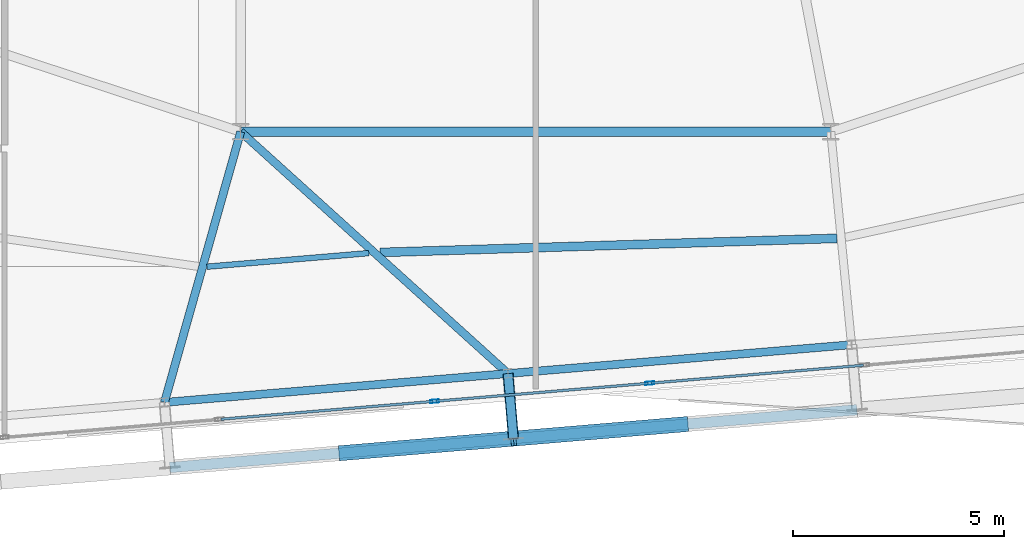
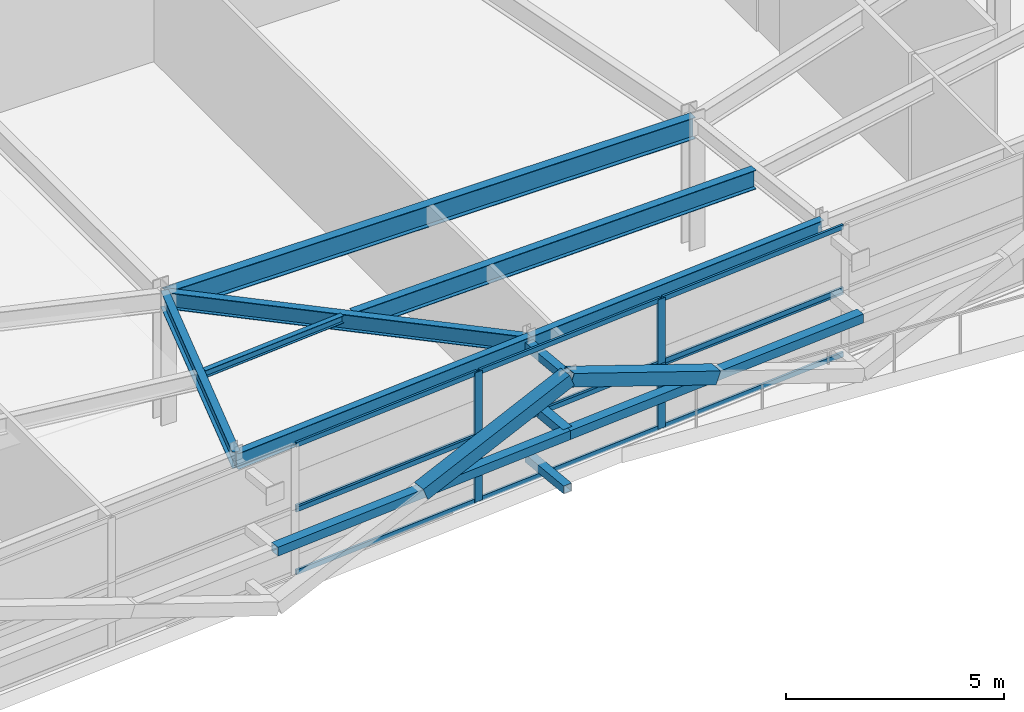
# One storey, part 10 of 38: 23 members, 7 beams, 2 elements without a shape of their own.
"""IFC4 building model written with IfcOpenShell, lengths in metres."""

from ifc_helpers import new_model, si_unit, direction, frame, origin, origin_2d, place, context, subcontext, project, spatial, hollow_rectangle, i_section, extrude, source, transform, mapped, material, layer, layer_set, material_profile, profile_set, type_object, element, aggregate, save


model = new_model("IFC4")

# Units and contexts
model_context = context("Model", 3, precision=1e-05, world=origin(), true_north=direction((0.0, 1.0)))
body_context = subcontext(model_context, "Body", "Model", "MODEL_VIEW")
ifc_project = project(units=[si_unit("LENGTHUNIT", "METRE"), si_unit("AREAUNIT", "SQUARE_METRE"), si_unit("VOLUMEUNIT", "CUBIC_METRE"), si_unit("PLANEANGLEUNIT", "RADIAN"), si_unit("MASSUNIT", "GRAM", prefix="KILO")], contexts=[model_context])

# Site, building, storey
site_placement = place(None, origin())
site = spatial("IfcSite", under=ifc_project, at=site_placement, CompositionType="ELEMENT")
building_placement = place(site_placement, origin())
building = spatial("IfcBuilding", under=site, at=building_placement, Name="Taldren Reach Tower", CompositionType="ELEMENT")
storey_placement = place(building_placement, frame((0.0, 0.0, 168.699951171875)))
storey = spatial("IfcBuildingStorey", under=building, at=storey_placement, Name="L51", CompositionType="ELEMENT", Elevation=168.699951171875)

# Beam
ifc_material_1 = material(Name="Steel Gr 350 (350PLUS)", Category="steel")
ifc_material_profile_1 = material_profile(ifc_material_1, i_section(OverallWidth=0.22802734375, OverallDepth=0.60205078125, WebThickness=0.010498046875, FlangeThickness=0.014892578125, at=origin_2d()), Name="610UB101")
ifc_profile_set_1 = profile_set([ifc_material_profile_1], Name="Steel Gr 350 (350PLUS)")
beam_type_1 = type_object("IfcBeamType", Name="BM-UB610B", PredefinedType="BEAM", material=ifc_profile_set_1)
shared_shape_1 = source(origin(), body_context, "Body", "SweptSolid", [
    extrude(i_section(OverallWidth=0.22802734375, OverallDepth=0.60205078125, WebThickness=0.010498046875, FlangeThickness=0.014892578125, at=origin_2d()), origin(), (0.0, 0.0, 1.0), 14.0),
])
beam_1_placement = place(storey_placement, frame((28.0, 9.199951171875, 3.3291015625), z_axis=(1.0, 0.0, 0.0), x_axis=(0.0, 1.0, 0.0)))
element("IfcBeam", 1, at=beam_1_placement, inside=storey, type_object=beam_type_1, Name="Core-spine girder L51-SP11", PredefinedType="BEAM", context=body_context, shape_type="MappedRepresentation", body=[
    mapped(shared_shape_1, transform((0.0, 0.0, 0.0), scale=1.0)),
])

# Member
ifc_material_2 = material(Name="Steel Gr 350 (C350L0)", Category="steel")
ifc_material_profile_2 = material_profile(ifc_material_2, hollow_rectangle(XDim=0.25, YDim=0.25, WallThickness=0.010009765625, at=origin_2d()), Name="250x250x10.0SHS")
ifc_profile_set_2 = profile_set([ifc_material_profile_2], Name="Steel Gr 350 (C350L0)")
member_type_1 = type_object("IfcMemberType", Name="MB-POST250", PredefinedType="POST", material=ifc_profile_set_2)
shared_shape_2 = source(origin(), body_context, "Body", "SweptSolid", [
    extrude(hollow_rectangle(XDim=0.25, YDim=0.25, WallThickness=0.010009765625, at=origin_2d()), origin(), (0.0, 0.0, 1.0), 1.5498046875),
])
member_1_placement = place(storey_placement, frame((34.34228515625, 3.462890625, 1.78515625), z_axis=(0.083645141657, -0.996495604746, 0.0), x_axis=(0.996495604746, 0.083645141657, 0.0)))
element("IfcMember", 2, at=member_1_placement, inside=storey, type_object=member_type_1, Name="Exoskeleton mid-tier diaphragm tie B4-S3 L51", PredefinedType="POST", context=body_context, shape_type="MappedRepresentation", body=[
    mapped(shared_shape_2, transform((0.0, 0.0, 0.0), scale=1.0)),
])

# Beams
ifc_material_profile_3 = material_profile(ifc_material_1, i_section(OverallWidth=0.18994140625, OverallDepth=0.4541015625, WebThickness=0.008544921875, FlangeThickness=0.0126953125, at=origin_2d()), Name="460UB67.1")
ifc_profile_set_3 = profile_set([ifc_material_profile_3], Name="Steel Gr 350 (350PLUS)")
beam_type_2 = type_object("IfcBeamType", Name="SP-UB460B", PredefinedType="SPANDREL", material=ifc_profile_set_3)
shared_shape_3 = source(origin(), body_context, "Body", "SweptSolid", [
    extrude(i_section(OverallWidth=0.18994140625, OverallDepth=0.4541015625, WebThickness=0.008544921875, FlangeThickness=0.0126953125, at=origin_2d()), origin(), (0.0, 0.0, 1.0), 8.18017578125),
])
beam_2_placement = place(storey_placement, frame((34.34228515625, 3.462890625, 3.403076171875), z_axis=(0.996492034688, 0.083687662192, 0.0), x_axis=(-0.083687662192, 0.996492034688, 0.0)))
element("IfcBeam", 3, at=beam_2_placement, inside=storey, type_object=beam_type_2, Name="Perimeter spandrel B4 S3-S4 L51", PredefinedType="SPANDREL", context=body_context, shape_type="MappedRepresentation", body=[
    mapped(shared_shape_3, transform((0.0, 0.0, 0.0), scale=1.0)),
])
shared_shape_4 = source(origin(), body_context, "Body", "SweptSolid", [
    extrude(i_section(OverallWidth=0.18994140625, OverallDepth=0.4541015625, WebThickness=0.008544921875, FlangeThickness=0.0126953125, at=origin_2d()), origin(), (0.0, 0.0, 1.0), 8.179931640625),
])
beam_3_placement = place(storey_placement, frame((26.19091796875, 2.778564453125, 3.403076171875), z_axis=(0.996494523218, 0.083658025296, 0.0), x_axis=(-0.083658025296, 0.996494523218, 0.0)))
element("IfcBeam", 4, at=beam_3_placement, inside=storey, type_object=beam_type_2, Name="Perimeter spandrel B4 S2-S3 L51", PredefinedType="SPANDREL", context=body_context, shape_type="MappedRepresentation", body=[
    mapped(shared_shape_4, transform((0.0, 0.0, 0.0), scale=1.0)),
])
ifc_material_profile_4 = material_profile(ifc_material_1, i_section(OverallWidth=0.19091796875, OverallDepth=0.4599609375, WebThickness=0.010009765625, FlangeThickness=0.01611328125, at=origin_2d()), Name="460UB82.1")
ifc_profile_set_4 = profile_set([ifc_material_profile_4], Name="Steel Gr 350 (350PLUS)")
beam_type_3 = type_object("IfcBeamType", Name="BM-UB460A", PredefinedType="BEAM", material=ifc_profile_set_4)
shared_shape_5 = source(origin(), body_context, "Body", "SweptSolid", [
    extrude(i_section(OverallWidth=0.19091796875, OverallDepth=0.4599609375, WebThickness=0.010009765625, FlangeThickness=0.01611328125, at=origin_2d()), origin(), (0.0, 0.0, 1.0), 6.67138671875),
])
beam_4_placement = place(storey_placement, frame((28.0, 9.199951171875, 3.400146484375), z_axis=(-0.271171579948, -0.962531025073, 0.0), x_axis=(0.962531025073, -0.271171579948, 0.0)))
element("IfcBeam", 5, at=beam_4_placement, inside=storey, type_object=beam_type_3, Name="Primary floor girder B4-S2 L51", PredefinedType="BEAM", context=body_context, shape_type="MappedRepresentation", body=[
    mapped(shared_shape_5, transform((0.0, 0.0, 0.0), scale=1.0)),
])
shared_shape_6 = source(origin(), body_context, "Body", "SweptSolid", [
    extrude(i_section(OverallWidth=0.19091796875, OverallDepth=0.4599609375, WebThickness=0.010009765625, FlangeThickness=0.01611328125, at=origin_2d()), origin(), (0.0, 0.0, 1.0), 8.552001953125),
])
beam_5_placement = place(storey_placement, frame((28.0, 9.199951171875, 3.400146484375), z_axis=(0.741605435155, -0.670836327689, 0.0), x_axis=(0.670836327689, 0.741605435155, 0.0)))
element("IfcBeam", 6, at=beam_5_placement, inside=storey, type_object=beam_type_3, Name="Primary floor girder B4-S3 L51", PredefinedType="BEAM", context=body_context, shape_type="MappedRepresentation", body=[
    mapped(shared_shape_6, transform((0.0, 0.0, 0.0), scale=1.0)),
])
ifc_material_3 = material(Name="Steel Gr 300 (300PLUS, 300 MPa)", Category="steel")
ifc_material_profile_5 = material_profile(ifc_material_3, i_section(OverallWidth=0.134033203125, OverallDepth=0.20703125, WebThickness=0.00634765625, FlangeThickness=0.009521484375, at=origin_2d()), Name="200UB29.8")
ifc_profile_set_5 = profile_set([ifc_material_profile_5], Name="Steel Gr 300 (300PLUS, 300 MPa)")
beam_type_4 = type_object("IfcBeamType", Name="JS-UB200", PredefinedType="JOIST", material=ifc_profile_set_5)
shared_shape_7 = source(origin(), body_context, "Body", "SweptSolid", [
    extrude(i_section(OverallWidth=0.134033203125, OverallDepth=0.20703125, WebThickness=0.00634765625, FlangeThickness=0.009521484375, at=origin_2d()), origin(), (0.0, 0.0, 1.0), 3.857177734375),
])
beam_6_placement = place(storey_placement, frame((27.197021484375, 5.997802734375, 3.526611328125), z_axis=(0.996493179166, 0.083674033464, 0.0), x_axis=(-0.083674033464, 0.996493179166, 0.0)))
element("IfcBeam", 7, at=beam_6_placement, inside=storey, type_object=beam_type_4, Name="Secondary floor joist B4 J2 L51", PredefinedType="JOIST", context=body_context, shape_type="MappedRepresentation", body=[
    mapped(shared_shape_7, transform((0.0, 0.0, 0.0), scale=1.0)),
])
ifc_material_profile_6 = material_profile(ifc_material_1, i_section(OverallWidth=0.208984375, OverallDepth=0.532958984375, WebThickness=0.01025390625, FlangeThickness=0.015625, at=origin_2d()), Name="530UB92.4")
ifc_profile_set_6 = profile_set([ifc_material_profile_6], Name="Steel Gr 350 (350PLUS)")
beam_type_5 = type_object("IfcBeamType", Name="BM-UB530A", PredefinedType="BEAM", material=ifc_profile_set_6)
shared_shape_8 = source(origin(), body_context, "Body", "SweptSolid", [
    extrude(i_section(OverallWidth=0.208984375, OverallDepth=0.532958984375, WebThickness=0.01025390625, FlangeThickness=0.015625, at=origin_2d()), origin(), (0.0, 0.0, 1.0), 10.847412109375),
])
beam_7_placement = place(storey_placement, frame((31.308837890625, 6.335693359375, 3.363525390625), z_axis=(0.999522428572, 0.030901695439, 0.0), x_axis=(-0.030901695439, 0.999522428572, 0.0)))
element("IfcBeam", 8, at=beam_7_placement, inside=storey, type_object=beam_type_5, Name="Secondary floor beam B4 J3 L51", PredefinedType="BEAM", context=body_context, shape_type="MappedRepresentation", body=[
    mapped(shared_shape_8, transform((0.0, 0.0, 0.0), scale=1.0)),
])

# Members
ifc_material_4 = material(Name="Steel Gr 450 (C450L0)", Category="steel")
ifc_material_profile_7 = material_profile(ifc_material_4, hollow_rectangle(XDim=0.219970703125, YDim=0.219970703125, WallThickness=0.00830078125, at=origin_2d()), Name="220x220x8.2SHS")
ifc_profile_set_7 = profile_set([ifc_material_profile_7], Name="Steel Gr 450 (C450L0)")
member_type_2 = type_object("IfcMemberType", Name="MB-TIE219", PredefinedType="STRUT", material=ifc_profile_set_7)
shared_shape_9 = source(origin(), body_context, "Body", "SweptSolid", [
    extrude(hollow_rectangle(XDim=0.219970703125, YDim=0.219970703125, WallThickness=0.00830078125, at=origin_2d()), origin(), (0.0, 0.0, 1.0), 1.5498046875),
])
for number, where, z_axis, x_axis, name in (
    (9, (34.34228515625, 3.462890625, 3.35009765625), (0.083645141657, -0.996495604746, 0.0), (0.996495604746, 0.083645141657, 0.0), "Exoskeleton diaphragm tie strut B4-S3 L51"),
    (10, (34.34228515625, 3.462890625, 0.219970703125), (0.083645141657, -0.996495604746, 0.0), (0.996495604746, 0.083645141657, 0.0), "Exoskeleton base diaphragm tie strut B4-S3 L51"),
):
    element("IfcMember", number, at=place(storey_placement, frame(where, z_axis=z_axis, x_axis=x_axis)), inside=storey, type_object=member_type_2, Name=name, PredefinedType="STRUT", context=body_context, shape_type="MappedRepresentation", body=[
        mapped(shared_shape_9, transform((0.0, 0.0, 0.0), scale=1.0)),
    ])
ifc_material_profile_8 = material_profile(ifc_material_4, hollow_rectangle(XDim=0.360107421875, YDim=0.360107421875, WallThickness=0.0126953125, at=origin_2d()), Name="360x360x12.7SHS")
ifc_profile_set_8 = profile_set([ifc_material_profile_8], Name="Steel Gr 450 (C450L0)")
member_type_3 = type_object("IfcMemberType", Name="MB-EXO356", PredefinedType="BRACE", material=ifc_profile_set_8)
shared_shape_10 = source(origin(), body_context, "Body", "SweptSolid", [
    extrude(hollow_rectangle(XDim=0.360107421875, YDim=0.360107421875, WallThickness=0.0126953125, at=origin_2d()), origin(), (0.0, 0.0, 1.0), 4.379150390625),
])
for number, where, z_axis, x_axis, name in (
    (11, (30.396240234375, 1.576171875, 1.78515625), (0.930691240049, 0.078161562151, 0.357357784157), (-0.083687662192, 0.996492034688, 0.0), "Exoskeleton Diagrid Brace B4-S2 L51"),
    (12, (38.547607421875, 2.2607421875, 1.78515625), (-0.930691240049, -0.078161562151, 0.357357784157), (0.083687662192, -0.996492034688, 0.0), "Exoskeleton Diagrid Brace B4-S3 L51"),
):
    element("IfcMember", number, at=place(storey_placement, frame(where, z_axis=z_axis, x_axis=x_axis)), inside=storey, type_object=member_type_3, Name=name, PredefinedType="BRACE", context=body_context, shape_type="MappedRepresentation", body=[
        mapped(shared_shape_10, transform((0.0, 0.0, 0.0), scale=1.0)),
    ])
shared_shape_11 = source(origin(), body_context, "Body", "SweptSolid", [
    extrude(hollow_rectangle(XDim=0.25, YDim=0.25, WallThickness=0.010009765625, at=origin_2d()), origin(), (0.0, 0.0, 1.0), 8.18017578125),
])
for number, where, z_axis, x_axis, name in (
    (13, (26.320556640625, 1.23388671875, 1.78515625), (0.996492034688, 0.083687662192, 0.0), (-0.083687662192, 0.996492034688, 0.0), "Exoskeleton mid-height ring chord B4-S2 L51"),
    (14, (34.471923828125, 1.91845703125, 1.78515625), (0.996492034688, 0.083687662192, 0.0), (-0.083687662192, 0.996492034688, 0.0), "Exoskeleton mid-height ring chord B4-S3 L51"),
):
    element("IfcMember", number, at=place(storey_placement, frame(where, z_axis=z_axis, x_axis=x_axis)), inside=storey, type_object=member_type_1, Name=name, PredefinedType="POST", context=body_context, shape_type="MappedRepresentation", body=[
        mapped(shared_shape_11, transform((0.0, 0.0, 0.0), scale=1.0)),
    ])

# Curtain wall, members
ifc_material_5 = material(Name="Aluminium and Low-E Glass Unitised System", Category="aluminium")
ifc_layer = layer(ifc_material_5, 0.159912109375)
ifc_layer_set = layer_set([ifc_layer], Name="Aluminium and Low-E Glass Unitised System")
curtain_wall_type = type_object("IfcCurtainWallType", Name="CW-SYS-7", PredefinedType="NOTDEFINED", material=ifc_layer_set)
curtain_wall_1_placement = place(storey_placement, origin())
curtain_wall_1 = element("IfcCurtainWall", 15, at=curtain_wall_1_placement, inside=storey, type_object=curtain_wall_type, Name="Unitised curtain wall CW-L51-S1", PredefinedType="NOTDEFINED")
ifc_material_6 = material(Name="Anodised Aluminium 6063-T6", Category="aluminium")
ifc_material_profile_9 = material_profile(ifc_material_6, hollow_rectangle(XDim=0.074951171875, YDim=0.2099609375, WallThickness=0.00439453125, at=origin_2d()), Name="ALU-210x75x4.5RHS")
ifc_profile_set_9 = profile_set([ifc_material_profile_9], Name="Anodised Aluminium 6063-T6")
member_type_4 = type_object("IfcMemberType", Name="CW-MUL-200", PredefinedType="MULLION", material=ifc_profile_set_9)
shared_shape_12 = source(origin(), body_context, "Body", "SweptSolid", [
    extrude(hollow_rectangle(XDim=0.074951171875, YDim=0.2099609375, WallThickness=0.00439453125, at=origin_2d()), origin(), (0.0, 0.0, 1.0), 1.81494140625),
])
member_2_placement = place(storey_placement, frame((32.60009765625, 2.804931640625, 0.0), z_axis=(0.0, 0.0, 1.0), x_axis=(-0.083677915318, 0.996492853205, 0.0)))
member_2 = element("IfcMember", 16, at=member_2_placement, type_object=member_type_4, Name="CW-7 mullion 4", PredefinedType="MULLION", context=body_context, shape_type="MappedRepresentation", body=[
    mapped(shared_shape_12, transform((0.0, 0.0, 0.0), scale=1.0)),
])
member_3_placement = place(storey_placement, frame((37.704833984375, 3.233642578125, 0.0), z_axis=(0.0, 0.0, 1.0), x_axis=(-0.083677915318, 0.996492853205, 0.0)))
member_3 = element("IfcMember", 17, at=member_3_placement, type_object=member_type_4, Name="CW-7 mullion 5", PredefinedType="MULLION", context=body_context, shape_type="MappedRepresentation", body=[
    mapped(shared_shape_12, transform((0.0, 0.0, 0.0), scale=1.0)),
])
ifc_material_profile_10 = material_profile(ifc_material_6, hollow_rectangle(XDim=0.06005859375, YDim=0.135009765625, WallThickness=0.00341796875, at=origin_2d()), Name="ALU-135x60x3.5RHS")
ifc_profile_set_10 = profile_set([ifc_material_profile_10], Name="Anodised Aluminium 6063-T6")
member_type_5 = type_object("IfcMemberType", Name="CW-TRN-150", PredefinedType="USERDEFINED", material=ifc_profile_set_10)
shared_shape_13 = source(origin(), body_context, "Body", "SweptSolid", [
    extrude(hollow_rectangle(XDim=0.06005859375, YDim=0.135009765625, WallThickness=0.00341796875, at=origin_2d()), origin(), (0.0, 0.0, 1.0), 5.048095703125),
])
member_4_placement = place(storey_placement, frame((37.7421875, 3.23681640625, 0.030029296875), z_axis=(0.996493529553, 0.083669860519, 0.0), x_axis=(-0.083669860519, 0.996493529553, 0.0)))
member_4 = element("IfcMember", 18, at=member_4_placement, type_object=member_type_5, Name="CW-7 transom 5.1", ObjectType="TRANSOM", PredefinedType="USERDEFINED", context=body_context, shape_type="MappedRepresentation", body=[
    mapped(shared_shape_13, transform((0.0, 0.0, 0.0), scale=1.0)),
])
member_5_placement = place(storey_placement, frame((37.7421875, 3.23681640625, 1.78515625), z_axis=(0.996493529553, 0.083669860519, 0.0), x_axis=(-0.083669860519, 0.996493529553, 0.0)))
member_5 = element("IfcMember", 19, at=member_5_placement, type_object=member_type_5, Name="CW-7 transom 5.2", ObjectType="TRANSOM", PredefinedType="USERDEFINED", context=body_context, shape_type="MappedRepresentation", body=[
    mapped(shared_shape_13, transform((0.0, 0.0, 0.0), scale=1.0)),
])

curtain_wall_2_placement = place(storey_placement, origin())
curtain_wall_2 = element("IfcCurtainWall", 20, at=curtain_wall_2_placement, inside=storey, type_object=curtain_wall_type, Name="Unitised curtain wall CW-L51-S1-T2", PredefinedType="NOTDEFINED")
member_6_placement = place(storey_placement, frame((37.7421875, 3.23681640625, 1.844970703125), z_axis=(0.996493529553, 0.083669860519, 0.0), x_axis=(-0.083669860519, 0.996493529553, 0.0)))
member_6 = element("IfcMember", 21, at=member_6_placement, type_object=member_type_5, Name="CW-7 transom 5.1", ObjectType="TRANSOM", PredefinedType="USERDEFINED", context=body_context, shape_type="MappedRepresentation", body=[
    mapped(shared_shape_13, transform((0.0, 0.0, 0.0), scale=1.0)),
])
member_7_placement = place(storey_placement, frame((37.7421875, 3.23681640625, 3.60009765625), z_axis=(0.996493529553, 0.083669860519, 0.0), x_axis=(-0.083669860519, 0.996493529553, 0.0)))
member_7 = element("IfcMember", 22, at=member_7_placement, type_object=member_type_5, Name="CW-7 transom 5.2", ObjectType="TRANSOM", PredefinedType="USERDEFINED", context=body_context, shape_type="MappedRepresentation", body=[
    mapped(shared_shape_13, transform((0.0, 0.0, 0.0), scale=1.0)),
])

# Member
shared_shape_14 = source(origin(), body_context, "Body", "SweptSolid", [
    extrude(hollow_rectangle(XDim=0.06005859375, YDim=0.135009765625, WallThickness=0.00341796875, at=origin_2d()), origin(), (0.0, 0.0, 1.0), 5.0478515625),
])
member_8_placement = place(storey_placement, frame((27.532470703125, 2.37939453125, 0.030029296875), z_axis=(0.996493190949, 0.083673893139, 0.0), x_axis=(-0.083673893139, 0.996493190949, 0.0)))
member_8 = element("IfcMember", 23, at=member_8_placement, type_object=member_type_5, Name="CW-7 transom 3.1", ObjectType="TRANSOM", PredefinedType="USERDEFINED", context=body_context, shape_type="MappedRepresentation", body=[
    mapped(shared_shape_14, transform((0.0, 0.0, 0.0), scale=1.0)),
])

member_9_placement = place(storey_placement, frame((27.532470703125, 2.37939453125, 1.78515625), z_axis=(0.996493190949, 0.083673893139, 0.0), x_axis=(-0.083673893139, 0.996493190949, 0.0)))
member_9 = element("IfcMember", 24, at=member_9_placement, type_object=member_type_5, Name="CW-7 transom 3.2", ObjectType="TRANSOM", PredefinedType="USERDEFINED", context=body_context, shape_type="MappedRepresentation", body=[
    mapped(shared_shape_14, transform((0.0, 0.0, 0.0), scale=1.0)),
])

member_10_placement = place(storey_placement, frame((32.637451171875, 2.80810546875, 0.030029296875), z_axis=(0.996493190949, 0.083673893139, 0.0), x_axis=(-0.083673893139, 0.996493190949, 0.0)))
member_10 = element("IfcMember", 25, at=member_10_placement, type_object=member_type_5, Name="CW-7 transom 4.1", ObjectType="TRANSOM", PredefinedType="USERDEFINED", context=body_context, shape_type="MappedRepresentation", body=[
    mapped(shared_shape_14, transform((0.0, 0.0, 0.0), scale=1.0)),
])

member_11_placement = place(storey_placement, frame((32.637451171875, 2.80810546875, 1.78515625), z_axis=(0.996493190949, 0.083673893139, 0.0), x_axis=(-0.083673893139, 0.996493190949, 0.0)))
member_11 = element("IfcMember", 26, at=member_11_placement, type_object=member_type_5, Name="CW-7 transom 4.2", ObjectType="TRANSOM", PredefinedType="USERDEFINED", context=body_context, shape_type="MappedRepresentation", body=[
    mapped(shared_shape_14, transform((0.0, 0.0, 0.0), scale=1.0)),
])

aggregate(curtain_wall_1, [member_2, member_3, member_8, member_9, member_10, member_11, member_4, member_5])

member_12_placement = place(storey_placement, frame((27.532470703125, 2.37939453125, 1.844970703125), z_axis=(0.996493190949, 0.083673893139, 0.0), x_axis=(-0.083673893139, 0.996493190949, 0.0)))
member_12 = element("IfcMember", 27, at=member_12_placement, type_object=member_type_5, Name="CW-7 transom 3.1", ObjectType="TRANSOM", PredefinedType="USERDEFINED", context=body_context, shape_type="MappedRepresentation", body=[
    mapped(shared_shape_14, transform((0.0, 0.0, 0.0), scale=1.0)),
])

member_13_placement = place(storey_placement, frame((27.532470703125, 2.37939453125, 3.60009765625), z_axis=(0.996493190949, 0.083673893139, 0.0), x_axis=(-0.083673893139, 0.996493190949, 0.0)))
member_13 = element("IfcMember", 28, at=member_13_placement, type_object=member_type_5, Name="CW-7 transom 3.2", ObjectType="TRANSOM", PredefinedType="USERDEFINED", context=body_context, shape_type="MappedRepresentation", body=[
    mapped(shared_shape_14, transform((0.0, 0.0, 0.0), scale=1.0)),
])

member_14_placement = place(storey_placement, frame((32.637451171875, 2.80810546875, 1.844970703125), z_axis=(0.996493190949, 0.083673893139, 0.0), x_axis=(-0.083673893139, 0.996493190949, 0.0)))
member_14 = element("IfcMember", 29, at=member_14_placement, type_object=member_type_5, Name="CW-7 transom 4.1", ObjectType="TRANSOM", PredefinedType="USERDEFINED", context=body_context, shape_type="MappedRepresentation", body=[
    mapped(shared_shape_14, transform((0.0, 0.0, 0.0), scale=1.0)),
])

member_15_placement = place(storey_placement, frame((32.637451171875, 2.80810546875, 3.60009765625), z_axis=(0.996493190949, 0.083673893139, 0.0), x_axis=(-0.083673893139, 0.996493190949, 0.0)))
member_15 = element("IfcMember", 30, at=member_15_placement, type_object=member_type_5, Name="CW-7 transom 4.2", ObjectType="TRANSOM", PredefinedType="USERDEFINED", context=body_context, shape_type="MappedRepresentation", body=[
    mapped(shared_shape_14, transform((0.0, 0.0, 0.0), scale=1.0)),
])

shared_shape_15 = source(origin(), body_context, "Body", "SweptSolid", [
    extrude(hollow_rectangle(XDim=0.074951171875, YDim=0.2099609375, WallThickness=0.00439453125, at=origin_2d()), origin(), (0.0, 0.0, 1.0), 1.815185546875),
])
member_16_placement = place(storey_placement, frame((32.60009765625, 2.804931640625, 1.81494140625), z_axis=(0.0, 0.0, 1.0), x_axis=(-0.083677915318, 0.996492853205, 0.0)))
member_16 = element("IfcMember", 31, at=member_16_placement, type_object=member_type_4, Name="CW-7 mullion 4", PredefinedType="MULLION", context=body_context, shape_type="MappedRepresentation", body=[
    mapped(shared_shape_15, transform((0.0, 0.0, 0.0), scale=1.0)),
])

member_17_placement = place(storey_placement, frame((37.704833984375, 3.233642578125, 1.81494140625), z_axis=(0.0, 0.0, 1.0), x_axis=(-0.083677915318, 0.996492853205, 0.0)))
member_17 = element("IfcMember", 32, at=member_17_placement, type_object=member_type_4, Name="CW-7 mullion 5", PredefinedType="MULLION", context=body_context, shape_type="MappedRepresentation", body=[
    mapped(shared_shape_15, transform((0.0, 0.0, 0.0), scale=1.0)),
])

aggregate(curtain_wall_2, [member_16, member_17, member_12, member_13, member_14, member_15, member_6, member_7])

save(model, "model.ifc")
